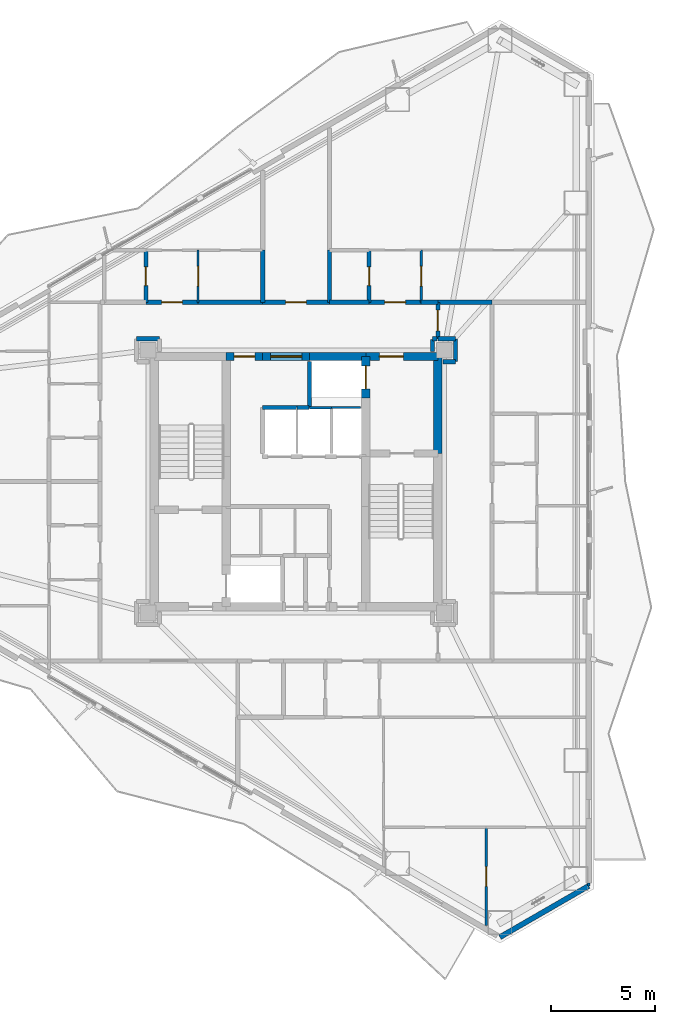
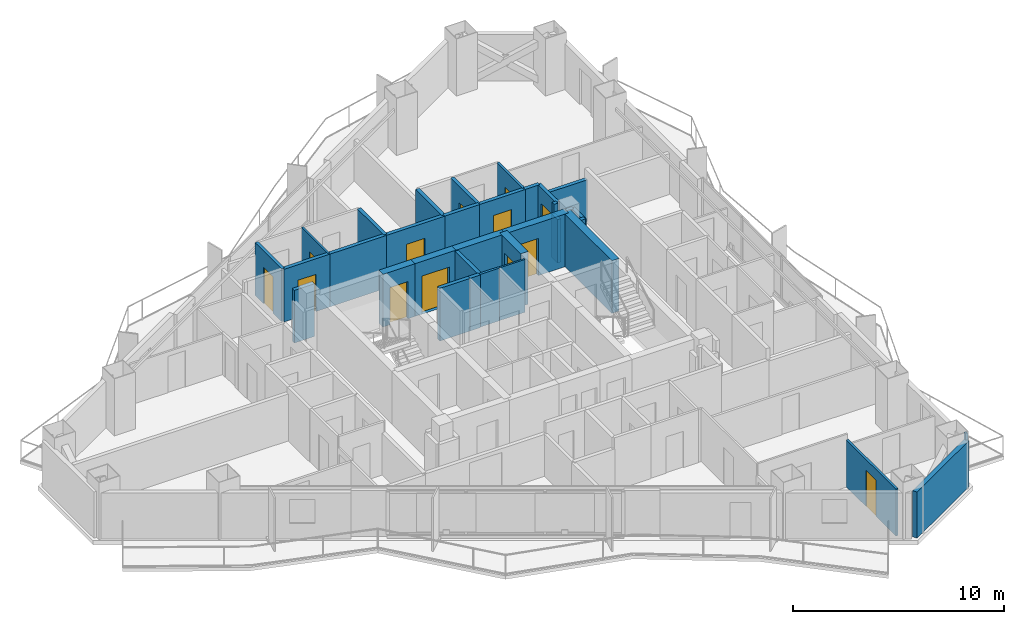
# One storey, part 18 of 22: 34 walls, 13 doors, 13 openings.
"""IFC4 building model written with IfcOpenShell, lengths in metres."""

from ifc_helpers import new_model, si_unit, direction, frame, frame_2d, origin, place, context, subcontext, project, spatial, rectangle, extrude, material, layer, layer_set, type_object, element, fill, save


model = new_model("IFC4")

# Units and contexts
model_context = context("Model", 3, precision=1e-05, world=origin(), true_north=direction((0.0, 1.0)))
body_context = subcontext(model_context, "Body", "Model", "MODEL_VIEW")
ifc_project = project(units=[si_unit("LENGTHUNIT", "METRE"), si_unit("AREAUNIT", "SQUARE_METRE"), si_unit("VOLUMEUNIT", "CUBIC_METRE"), si_unit("PLANEANGLEUNIT", "RADIAN"), si_unit("MASSUNIT", "GRAM", prefix="KILO")], contexts=[model_context])

# Site, building, storey
site_placement = place(None, origin())
site = spatial("IfcSite", under=ifc_project, at=site_placement, CompositionType="ELEMENT")
building_placement = place(site_placement, origin())
building = spatial("IfcBuilding", under=site, at=building_placement, Name="Mersakhor Tower and Convention Hall", CompositionType="ELEMENT")
storey_placement = place(building_placement, frame((0.0, 0.0, 103.199951171875)))
storey = spatial("IfcBuildingStorey", under=building, at=storey_placement, Name="L28", CompositionType="ELEMENT", Elevation=103.199951171875)

# Wall
ifc_material_1 = material(Name="Precast concrete C40/50", Category="concrete")
ifc_layer_1 = layer(ifc_material_1, 0.25)
ifc_layer_set_1 = layer_set([ifc_layer_1], Name="Precast concrete C40/50")
wall_type_1 = type_object("IfcWallType", Name="WL-EXT-250", PredefinedType="SOLIDWALL", material=ifc_layer_set_1)
wall_1_placement = place(storey_placement, frame((43.03466796875, 7.355712890625, 0.0), z_axis=(0.0, 0.0, 1.0), x_axis=(-0.866011848704, -0.500023477353, 0.0)))
element("IfcWall", 1, at=wall_1_placement, inside=storey, type_object=wall_type_1, Name="L28 Chamfer Braced Spandrel Wall C2", PredefinedType="SOLIDWALL", context=body_context, shape_type="SweptSolid", body=[
    extrude(rectangle(XDim=4.914306640625, YDim=0.25, at=frame_2d((2.45703125, 0.0))), origin(), (0.0, 0.0, 1.0), 2.670166015625),
])

# Wall, opening, door
ifc_material_2 = material(Name="Moisture-resistant acoustic drywall studwork", Category="other")
ifc_layer_2 = layer(ifc_material_2, 0.175048828125)
ifc_layer_set_2 = layer_set([ifc_layer_2], Name="Moisture-resistant acoustic drywall studwork")
wall_type_2 = type_object("IfcWallType", Name="WL-PLM-175", PredefinedType="PLUMBINGWALL", material=ifc_layer_set_2)
wall_2_placement = place(storey_placement, frame((21.800048828125, 35.35009765625, 0.0), z_axis=(0.0, 0.0, 1.0), x_axis=(0.0, 1.0, 0.0)))
wall_2 = element("IfcWall", 2, at=wall_2_placement, inside=storey, type_object=wall_type_2, Name="L28 Interior Partition Wall P-067", PredefinedType="PLUMBINGWALL", context=body_context, shape_type="SweptSolid", body=[
    extrude(rectangle(XDim=2.5, YDim=0.175048828125, at=frame_2d((1.25, 0.0))), origin(), (0.0, 0.0, 1.0), 3.050048828125),
])
opening_1_placement = place(wall_2_placement, frame((0.800048828125, 0.0, 0.0)))
opening_1 = element("IfcOpeningElement", 3, at=opening_1_placement, cuts=wall_2, Name="Opening WD-01", PredefinedType="OPENING", context=body_context, shape_type="SweptSolid", body=[
    extrude(rectangle(XDim=0.89990234375, YDim=2.10009765625, at=frame_2d((0.449951171875, 1.050048828125))), frame((0.0, 0.097412109375, 0.0), z_axis=(0.0, -1.0, 0.0), x_axis=(1.0, 0.0, 0.0)), (0.0, 0.0, 1.0), 0.195068359375),
])
ifc_material_3 = material(Name="Solid-core hardwood leaf in painted steel frame", Category="steel")
door_type_1 = type_object("IfcDoorType", Name="DR-INT-WET-090x210", OperationType="NOTDEFINED", PredefinedType="DOOR", material=ifc_material_3)
door_1_placement = place(opening_1_placement, origin())
door_1 = element("IfcDoor", 4, at=door_1_placement, inside=storey, type_object=door_type_1, Name="L28 L28 Flat N1 Apartment Hall to L28 Flat N1 Bathroom Door", OperationType="SINGLE_SWING_RIGHT", OverallHeight=2.10009765625, OverallWidth=0.89990234375, PredefinedType="DOOR", context=body_context, shape_type="SweptSolid", body=[
    extrude(rectangle(XDim=0.89990234375, YDim=2.10009765625, at=frame_2d((0.449951171875, 1.050048828125))), frame((0.0, 0.02490234375, 0.0), z_axis=(0.0, -1.0, 0.0), x_axis=(1.0, 0.0, 0.0)), (0.0, 0.0, 1.0), 0.050048828125),
])
fill(opening_1, door_1)

wall_3_placement = place(storey_placement, frame((32.5, 35.35009765625, 0.0), z_axis=(0.0, 0.0, 1.0), x_axis=(0.0, 1.0, 0.0)))
wall_3 = element("IfcWall", 5, at=wall_3_placement, inside=storey, type_object=wall_type_2, Name="L28 Interior Partition Wall P-070", PredefinedType="PLUMBINGWALL", context=body_context, shape_type="SweptSolid", body=[
    extrude(rectangle(XDim=2.5, YDim=0.175048828125, at=frame_2d((1.25, 0.0))), origin(), (0.0, 0.0, 1.0), 3.050048828125),
])
opening_2_placement = place(wall_3_placement, frame((0.800048828125, 0.0, 0.0)))
opening_2 = element("IfcOpeningElement", 6, at=opening_2_placement, cuts=wall_3, Name="Opening WD-01", PredefinedType="OPENING", context=body_context, shape_type="SweptSolid", body=[
    extrude(rectangle(XDim=0.89990234375, YDim=2.10009765625, at=frame_2d((0.449951171875, 1.050048828125))), frame((0.0, 0.097412109375, 0.0), z_axis=(0.0, -1.0, 0.0), x_axis=(1.0, 0.0, 0.0)), (0.0, 0.0, 1.0), 0.195068359375),
])
door_2_placement = place(opening_2_placement, origin())
door_2 = element("IfcDoor", 7, at=door_2_placement, inside=storey, type_object=door_type_1, Name="L28 L28 Flat N2 Apartment Hall to L28 Flat N2 Bathroom Door", OperationType="SINGLE_SWING_LEFT", OverallHeight=2.10009765625, OverallWidth=0.89990234375, PredefinedType="DOOR", context=body_context, shape_type="SweptSolid", body=[
    extrude(rectangle(XDim=0.89990234375, YDim=2.10009765625, at=frame_2d((0.449951171875, 1.050048828125))), frame((0.0, 0.02490234375, 0.0), z_axis=(0.0, -1.0, 0.0), x_axis=(1.0, 0.0, 0.0)), (0.0, 0.0, 1.0), 0.050048828125),
])
fill(opening_2, door_2)

# Wall
ifc_material_4 = material(Name="Lightweight gypsum partition", Category="other")
ifc_layer_3 = layer(ifc_material_4, 0.10009765625)
ifc_layer_set_3 = layer_set([ifc_layer_3], Name="Lightweight gypsum partition")
wall_type_3 = type_object("IfcWallType", Name="WL-PRT-100", PredefinedType="PARTITIONING", material=ifc_layer_set_3)
wall_4_placement = place(storey_placement, frame((32.10009765625, 30.300048828125, 0.0), z_axis=(0.0, 0.0, 1.0), x_axis=(-1.0, 0.0, 0.0)))
element("IfcWall", 8, at=wall_4_placement, inside=storey, type_object=wall_type_3, Name="L28 Interior Partition Wall P-004", PredefinedType="PARTITIONING", context=body_context, shape_type="SweptSolid", body=[
    extrude(rectangle(XDim=1.400146484375, YDim=0.10009765625, at=frame_2d((0.7001953125, 0.0))), origin(), (0.0, 0.0, 1.0), 3.050048828125),
])

# Wall, opening, door
wall_5_placement = place(storey_placement, frame((24.300048828125, 37.85009765625, 0.0), z_axis=(0.0, 0.0, 1.0), x_axis=(0.0, -1.0, 0.0)))
wall_5 = element("IfcWall", 9, at=wall_5_placement, inside=storey, type_object=wall_type_3, Name="L28 Interior Partition Wall P-066", PredefinedType="PARTITIONING", context=body_context, shape_type="SweptSolid", body=[
    extrude(rectangle(XDim=2.5, YDim=0.10009765625, at=frame_2d((1.25, 0.0))), origin(), (0.0, 0.0, 1.0), 3.050048828125),
])
opening_3_placement = place(wall_5_placement, frame((0.77490234375, 0.0, 0.0)))
opening_3 = element("IfcOpeningElement", 10, at=opening_3_placement, cuts=wall_5, Name="Opening RD-01", PredefinedType="OPENING", context=body_context, shape_type="SweptSolid", body=[
    extrude(rectangle(XDim=0.949951171875, YDim=2.10009765625, at=frame_2d((0.47509765625, 1.050048828125))), frame((0.0, 0.06005859375, 0.0), z_axis=(0.0, -1.0, 0.0), x_axis=(1.0, 0.0, 0.0)), (0.0, 0.0, 1.0), 0.1201171875),
])
ifc_material_5 = material(Name="Solid-core hardwood leaf in painted steel frame", Category="steel")
door_type_2 = type_object("IfcDoorType", Name="DR-INT-RM-095x210", OperationType="NOTDEFINED", PredefinedType="DOOR", material=ifc_material_5)
door_3_placement = place(opening_3_placement, origin())
door_3 = element("IfcDoor", 11, at=door_3_placement, inside=storey, type_object=door_type_2, Name="L28 L28 Flat N1 Apartment Hall to L28 Flat N1 Kitchen Door", OperationType="SINGLE_SWING_LEFT", OverallHeight=2.10009765625, OverallWidth=0.949951171875, PredefinedType="DOOR", context=body_context, shape_type="SweptSolid", body=[
    extrude(rectangle(XDim=0.949951171875, YDim=2.10009765625, at=frame_2d((0.47509765625, 1.050048828125))), frame((0.0, 0.02490234375, 0.0), z_axis=(0.0, -1.0, 0.0), x_axis=(1.0, 0.0, 0.0)), (0.0, 0.0, 1.0), 0.050048828125),
])
fill(opening_3, door_3)

# Wall
ifc_material_6 = material(Name="Gypsum board acoustic partition", Category="other")
ifc_layer_4 = layer(ifc_material_6, 0.125)
ifc_layer_set_4 = layer_set([ifc_layer_4], Name="Gypsum board acoustic partition")
wall_type_4 = type_object("IfcWallType", Name="WL-PRT-125", PredefinedType="PARTITIONING", material=ifc_layer_set_4)
wall_6_placement = place(storey_placement, frame((30.699951171875, 30.300048828125, 0.0), z_axis=(0.0, 0.0, 1.0), x_axis=(-1.0, 0.0, 0.0)))
element("IfcWall", 12, at=wall_6_placement, inside=storey, type_object=wall_type_4, Name="L28 Interior Partition Wall P-005", PredefinedType="PARTITIONING", context=body_context, shape_type="SweptSolid", body=[
    extrude(rectangle(XDim=1.050048828125, YDim=0.125, at=frame_2d((0.52490234375, 0.0))), origin(), (0.0, 0.0, 1.0), 3.050048828125),
])

# Wall, opening, door
wall_7_placement = place(storey_placement, frame((35.0, 37.85009765625, 0.0), z_axis=(0.0, 0.0, 1.0), x_axis=(0.0, -1.0, 0.0)))
wall_7 = element("IfcWall", 13, at=wall_7_placement, inside=storey, type_object=wall_type_4, Name="L28 Interior Partition Wall P-069", PredefinedType="PARTITIONING", context=body_context, shape_type="SweptSolid", body=[
    extrude(rectangle(XDim=2.5, YDim=0.125, at=frame_2d((1.25, 0.0))), origin(), (0.0, 0.0, 1.0), 3.050048828125),
])
opening_4_placement = place(wall_7_placement, frame((0.77490234375, 0.0, 0.0)))
opening_4 = element("IfcOpeningElement", 14, at=opening_4_placement, cuts=wall_7, Name="Opening RD-01", PredefinedType="OPENING", context=body_context, shape_type="SweptSolid", body=[
    extrude(rectangle(XDim=0.949951171875, YDim=2.10009765625, at=frame_2d((0.47509765625, 1.050048828125))), frame((0.0, 0.072509765625, 0.0), z_axis=(0.0, -1.0, 0.0), x_axis=(1.0, 0.0, 0.0)), (0.0, 0.0, 1.0), 0.14501953125),
])
door_4_placement = place(opening_4_placement, origin())
door_4 = element("IfcDoor", 15, at=door_4_placement, inside=storey, type_object=door_type_2, Name="L28 L28 Flat N2 Apartment Hall to L28 Flat N2 Kitchen Door", OperationType="SINGLE_SWING_RIGHT", OverallHeight=2.10009765625, OverallWidth=0.949951171875, PredefinedType="DOOR", context=body_context, shape_type="SweptSolid", body=[
    extrude(rectangle(XDim=0.949951171875, YDim=2.10009765625, at=frame_2d((0.47509765625, 1.050048828125))), frame((0.0, 0.02490234375, 0.0), z_axis=(0.0, -1.0, 0.0), x_axis=(1.0, 0.0, 0.0)), (0.0, 0.0, 1.0), 0.050048828125),
])
fill(opening_4, door_4)

wall_8_placement = place(storey_placement, frame((38.1201171875, 10.169921875, 0.0), z_axis=(0.0, 0.0, 1.0), x_axis=(0.0, -1.0, 0.0)))
wall_8 = element("IfcWall", 16, at=wall_8_placement, inside=storey, type_object=wall_type_4, Name="L28 Interior Partition Wall P-121", PredefinedType="PARTITIONING", context=body_context, shape_type="SweptSolid", body=[
    extrude(rectangle(XDim=4.718994140625, YDim=0.125, at=frame_2d((2.359375, 0.0))), origin(), (0.0, 0.0, 1.0), 2.714599609375),
])
opening_5_placement = place(wall_8_placement, frame((1.884521484375, 0.0, 0.0)))
opening_5 = element("IfcOpeningElement", 17, at=opening_5_placement, cuts=wall_8, Name="Opening RD-01", PredefinedType="OPENING", context=body_context, shape_type="SweptSolid", body=[
    extrude(rectangle(XDim=0.949951171875, YDim=2.10009765625, at=frame_2d((0.47509765625, 1.050048828125))), frame((0.0, 0.072509765625, 0.0), z_axis=(0.0, -1.0, 0.0), x_axis=(1.0, 0.0, 0.0)), (0.0, 0.0, 1.0), 0.14501953125),
])
door_5_placement = place(opening_5_placement, origin())
door_5 = element("IfcDoor", 18, at=door_5_placement, inside=storey, type_object=door_type_2, Name="L28 L28 Flat S3 Bedroom 1 to L28 Flat S3 Study Room Door", OperationType="SINGLE_SWING_RIGHT", OverallHeight=2.10009765625, OverallWidth=0.949951171875, PredefinedType="DOOR", context=body_context, shape_type="SweptSolid", body=[
    extrude(rectangle(XDim=0.949951171875, YDim=2.10009765625, at=frame_2d((0.47509765625, 1.050048828125))), frame((0.0, 0.02490234375, 0.0), z_axis=(0.0, -1.0, 0.0), x_axis=(1.0, 0.0, 0.0)), (0.0, 0.0, 1.0), 0.050048828125),
])
fill(opening_5, door_5)

# Walls
wall_9_placement = place(storey_placement, frame((43.034912109375, 7.505615234375, 0.0), z_axis=(0.0, 0.0, 1.0), x_axis=(0.0, -1.0, 0.0)))
element("IfcWall", 19, at=wall_9_placement, inside=storey, type_object=wall_type_4, Name="L28 Interior Partition Wall P-123", PredefinedType="PARTITIONING", context=body_context, shape_type="SweptSolid", body=[
    extrude(rectangle(XDim=0.149658203125, YDim=0.125, at=frame_2d((0.07470703125, 0.0))), origin(), (0.0, 0.0, 1.0), 3.050048828125),
])
ifc_material_7 = material(Name="Acoustic concrete blockwork and gypsum board", Category="masonry")
ifc_layer_5 = layer(ifc_material_7, 0.199951171875)
ifc_layer_set_5 = layer_set([ifc_layer_5], Name="Acoustic concrete blockwork and gypsum board")
wall_type_5 = type_object("IfcWallType", Name="WL-PRT-200", PredefinedType="PARTITIONING", material=ifc_layer_set_5)
wall_10_placement = place(storey_placement, frame((29.64990234375, 30.300048828125, 0.0), z_axis=(0.0, 0.0, 1.0), x_axis=(0.0, 1.0, 0.0)))
element("IfcWall", 20, at=wall_10_placement, inside=storey, type_object=wall_type_5, Name="L28 Interior Partition Wall P-006", PredefinedType="PARTITIONING", context=body_context, shape_type="SweptSolid", body=[
    extrude(rectangle(XDim=2.199951171875, YDim=0.199951171875, at=frame_2d((1.10009765625, 0.0))), origin(), (0.0, 0.0, 1.0), 3.050048828125),
])
wall_11_placement = place(storey_placement, frame((27.39990234375, 30.300048828125, 0.0), z_axis=(0.0, 0.0, 1.0), x_axis=(1.0, 0.0, 0.0)))
element("IfcWall", 21, at=wall_11_placement, inside=storey, type_object=wall_type_5, Name="L28 Interior Partition Wall P-013", PredefinedType="PARTITIONING", context=body_context, shape_type="SweptSolid", body=[
    extrude(rectangle(XDim=1.650146484375, YDim=0.199951171875, at=frame_2d((0.8251953125, 0.0))), origin(), (0.0, 0.0, 1.0), 3.050048828125),
])
wall_12_placement = place(storey_placement, frame((29.050048828125, 30.300048828125, 0.0), z_axis=(0.0, 0.0, 1.0), x_axis=(1.0, 0.0, 0.0)))
element("IfcWall", 22, at=wall_12_placement, inside=storey, type_object=wall_type_5, Name="L28 Interior Partition Wall P-016", PredefinedType="PARTITIONING", context=body_context, shape_type="SweptSolid", body=[
    extrude(rectangle(XDim=0.570068359375, YDim=0.199951171875, at=frame_2d((0.28515625, 0.0))), origin(), (0.0, 0.0, 1.0), 3.050048828125),
])

# Wall, opening, door
wall_13_placement = place(storey_placement, frame((21.800048828125, 35.35009765625, 0.0), z_axis=(0.0, 0.0, 1.0), x_axis=(1.0, 0.0, 0.0)))
wall_13 = element("IfcWall", 23, at=wall_13_placement, inside=storey, type_object=wall_type_5, Name="L28 Interior Partition Wall P-037", PredefinedType="PARTITIONING", context=body_context, shape_type="SweptSolid", body=[
    extrude(rectangle(XDim=2.5, YDim=0.199951171875, at=frame_2d((1.25, 0.0))), origin(), (0.0, 0.0, 1.0), 3.050048828125),
])
opening_6_placement = place(wall_13_placement, frame((0.75, 0.0, 0.0)))
opening_6 = element("IfcOpeningElement", 24, at=opening_6_placement, cuts=wall_13, Name="Opening FD-01", PredefinedType="OPENING", context=body_context, shape_type="SweptSolid", body=[
    extrude(rectangle(XDim=1.0, YDim=2.14990234375, at=frame_2d((0.5, 1.074951171875))), frame((0.0, 0.10986328125, 0.0), z_axis=(0.0, -1.0, 0.0), x_axis=(1.0, 0.0, 0.0)), (0.0, 0.0, 1.0), 0.219970703125),
])
ifc_material_8 = material(Name="Fire-rated hardwood leaf and painted steel frame", Category="steel")
door_type_3 = type_object("IfcDoorType", Name="DR-INT-FLT-100x215", OperationType="NOTDEFINED", PredefinedType="DOOR", material=ifc_material_8)
door_6_placement = place(opening_6_placement, origin())
door_6 = element("IfcDoor", 25, at=door_6_placement, inside=storey, type_object=door_type_3, Name="L28 Apartment Entrance Door (Residential Ring Corridor to L28 Flat N1 Apartment Hall)", OperationType="SINGLE_SWING_LEFT", OverallHeight=2.14990234375, OverallWidth=1.0, PredefinedType="DOOR", context=body_context, shape_type="SweptSolid", body=[
    extrude(rectangle(XDim=1.0, YDim=2.14990234375, at=frame_2d((0.5, 1.074951171875))), frame((0.0, 0.02490234375, 0.0), z_axis=(0.0, -1.0, 0.0), x_axis=(1.0, 0.0, 0.0)), (0.0, 0.0, 1.0), 0.050048828125),
])
fill(opening_6, door_6)

# Wall
wall_14_placement = place(storey_placement, frame((24.300048828125, 35.35009765625, 0.0), z_axis=(0.0, 0.0, 1.0), x_axis=(1.0, 0.0, 0.0)))
element("IfcWall", 26, at=wall_14_placement, inside=storey, type_object=wall_type_5, Name="L28 Interior Partition Wall P-038", PredefinedType="PARTITIONING", context=body_context, shape_type="SweptSolid", body=[
    extrude(rectangle(XDim=3.099853515625, YDim=0.199951171875, at=frame_2d((1.5498046875, 0.0))), origin(), (0.0, 0.0, 1.0), 3.050048828125),
])

# Wall, opening, door
wall_15_placement = place(storey_placement, frame((27.39990234375, 35.35009765625, 0.0), z_axis=(0.0, 0.0, 1.0), x_axis=(1.0, 0.0, 0.0)))
wall_15 = element("IfcWall", 27, at=wall_15_placement, inside=storey, type_object=wall_type_5, Name="L28 Interior Partition Wall P-039", PredefinedType="PARTITIONING", context=body_context, shape_type="SweptSolid", body=[
    extrude(rectangle(XDim=3.2001953125, YDim=0.199951171875, at=frame_2d((1.60009765625, 0.0))), origin(), (0.0, 0.0, 1.0), 3.050048828125),
])
opening_7_placement = place(wall_15_placement, frame((1.10009765625, 0.0, 0.0)))
opening_7 = element("IfcOpeningElement", 28, at=opening_7_placement, cuts=wall_15, Name="Opening FD-01", PredefinedType="OPENING", context=body_context, shape_type="SweptSolid", body=[
    extrude(rectangle(XDim=1.0, YDim=2.14990234375, at=frame_2d((0.5, 1.074951171875))), frame((0.0, 0.10986328125, 0.0), z_axis=(0.0, -1.0, 0.0), x_axis=(1.0, 0.0, 0.0)), (0.0, 0.0, 1.0), 0.219970703125),
])
door_7_placement = place(opening_7_placement, origin())
door_7 = element("IfcDoor", 29, at=door_7_placement, inside=storey, type_object=door_type_3, Name="L28 Residential Ring Corridor to L28 North Wing Quiet Study Room Door", OperationType="SINGLE_SWING_LEFT", OverallHeight=2.14990234375, OverallWidth=1.0, PredefinedType="DOOR", context=body_context, shape_type="SweptSolid", body=[
    extrude(rectangle(XDim=1.0, YDim=2.14990234375, at=frame_2d((0.5, 1.074951171875))), frame((0.0, 0.02490234375, 0.0), z_axis=(0.0, -1.0, 0.0), x_axis=(1.0, 0.0, 0.0)), (0.0, 0.0, 1.0), 0.050048828125),
])
fill(opening_7, door_7)

# Wall
wall_16_placement = place(storey_placement, frame((30.60009765625, 35.35009765625, 0.0), z_axis=(0.0, 0.0, 1.0), x_axis=(1.0, 0.0, 0.0)))
element("IfcWall", 30, at=wall_16_placement, inside=storey, type_object=wall_type_5, Name="L28 Interior Partition Wall P-040", PredefinedType="PARTITIONING", context=body_context, shape_type="SweptSolid", body=[
    extrude(rectangle(XDim=1.89990234375, YDim=0.199951171875, at=frame_2d((0.949951171875, 0.0))), origin(), (0.0, 0.0, 1.0), 3.050048828125),
])

# Wall, opening, door
wall_17_placement = place(storey_placement, frame((32.5, 35.35009765625, 0.0), z_axis=(0.0, 0.0, 1.0), x_axis=(1.0, 0.0, 0.0)))
wall_17 = element("IfcWall", 31, at=wall_17_placement, inside=storey, type_object=wall_type_5, Name="L28 Interior Partition Wall P-041", PredefinedType="PARTITIONING", context=body_context, shape_type="SweptSolid", body=[
    extrude(rectangle(XDim=2.5, YDim=0.199951171875, at=frame_2d((1.25, 0.0))), origin(), (0.0, 0.0, 1.0), 3.050048828125),
])
opening_8_placement = place(wall_17_placement, frame((0.75, 0.0, 0.0)))
opening_8 = element("IfcOpeningElement", 32, at=opening_8_placement, cuts=wall_17, Name="Opening FD-01", PredefinedType="OPENING", context=body_context, shape_type="SweptSolid", body=[
    extrude(rectangle(XDim=1.0, YDim=2.14990234375, at=frame_2d((0.5, 1.074951171875))), frame((0.0, 0.10986328125, 0.0), z_axis=(0.0, -1.0, 0.0), x_axis=(1.0, 0.0, 0.0)), (0.0, 0.0, 1.0), 0.219970703125),
])
door_8_placement = place(opening_8_placement, origin())
door_8 = element("IfcDoor", 33, at=door_8_placement, inside=storey, type_object=door_type_3, Name="L28 Apartment Entrance Door (Residential Ring Corridor to L28 Flat N2 Apartment Hall)", OperationType="SINGLE_SWING_RIGHT", OverallHeight=2.14990234375, OverallWidth=1.0, PredefinedType="DOOR", context=body_context, shape_type="SweptSolid", body=[
    extrude(rectangle(XDim=1.0, YDim=2.14990234375, at=frame_2d((0.5, 1.074951171875))), frame((0.0, 0.02490234375, 0.0), z_axis=(0.0, -1.0, 0.0), x_axis=(1.0, 0.0, 0.0)), (0.0, 0.0, 1.0), 0.050048828125),
])
fill(opening_8, door_8)

# Wall
wall_18_placement = place(storey_placement, frame((35.0, 35.35009765625, 0.0), z_axis=(0.0, 0.0, 1.0), x_axis=(1.0, 0.0, 0.0)))
element("IfcWall", 34, at=wall_18_placement, inside=storey, type_object=wall_type_5, Name="L28 Interior Partition Wall P-042", PredefinedType="PARTITIONING", context=body_context, shape_type="SweptSolid", body=[
    extrude(rectangle(XDim=0.800048828125, YDim=0.199951171875, at=frame_2d((0.39990234375, 0.0))), origin(), (0.0, 0.0, 1.0), 3.050048828125),
])

# Wall, opening, door
wall_19_placement = place(storey_placement, frame((35.800048828125, 35.35009765625, 0.0), z_axis=(0.0, 0.0, 1.0), x_axis=(0.0, -1.0, 0.0)))
wall_19 = element("IfcWall", 35, at=wall_19_placement, inside=storey, type_object=wall_type_5, Name="L28 Interior Partition Wall P-043", PredefinedType="PARTITIONING", context=body_context, shape_type="SweptSolid", body=[
    extrude(rectangle(XDim=1.75, YDim=0.199951171875, at=frame_2d((0.875, 0.0))), origin(), (0.0, 0.0, 1.0), 3.050048828125),
])
opening_9_placement = place(wall_19_placement, frame((0.375, 0.0, 0.0)))
opening_9 = element("IfcOpeningElement", 36, at=opening_9_placement, cuts=wall_19, Name="Opening FD-01", PredefinedType="OPENING", context=body_context, shape_type="SweptSolid", body=[
    extrude(rectangle(XDim=1.0, YDim=2.14990234375, at=frame_2d((0.5, 1.074951171875))), frame((0.0, 0.10986328125, 0.0), z_axis=(0.0, -1.0, 0.0), x_axis=(1.0, 0.0, 0.0)), (0.0, 0.0, 1.0), 0.219970703125),
])
door_9_placement = place(opening_9_placement, origin())
door_9 = element("IfcDoor", 37, at=door_9_placement, inside=storey, type_object=door_type_3, Name="L28 Ring Corridor Fire Door", OperationType="SINGLE_SWING_RIGHT", OverallHeight=2.14990234375, OverallWidth=1.0, PredefinedType="DOOR", context=body_context, shape_type="SweptSolid", body=[
    extrude(rectangle(XDim=1.0, YDim=2.14990234375, at=frame_2d((0.5, 1.074951171875))), frame((0.0, 0.02490234375, 0.0), z_axis=(0.0, -1.0, 0.0), x_axis=(1.0, 0.0, 0.0)), (0.0, 0.0, 1.0), 0.050048828125),
])
fill(opening_9, door_9)

# Walls
wall_20_placement = place(storey_placement, frame((35.77001953125, 33.60009765625, 0.0), z_axis=(0.0, 0.0, 1.0), x_axis=(-1.0, 0.0, 0.0)))
element("IfcWall", 38, at=wall_20_placement, inside=storey, type_object=wall_type_5, Name="L28 Interior Partition Wall P-044", PredefinedType="PARTITIONING", context=body_context, shape_type="SweptSolid", body=[
    extrude(rectangle(XDim=0.219970703125, YDim=0.199951171875, at=frame_2d((0.10986328125, 0.0))), origin(), (0.0, 0.0, 1.0), 3.050048828125),
])
wall_21_placement = place(storey_placement, frame((35.550048828125, 33.570068359375, 0.0), z_axis=(0.0, 0.0, 1.0), x_axis=(0.0, -1.0, 0.0)))
element("IfcWall", 39, at=wall_21_placement, inside=storey, type_object=wall_type_5, Name="L28 Interior Partition Wall P-045", PredefinedType="PARTITIONING", context=body_context, shape_type="SweptSolid", body=[
    extrude(rectangle(XDim=0.570068359375, YDim=0.199951171875, at=frame_2d((0.28515625, 0.0))), origin(), (0.0, 0.0, 1.0), 2.498291015625),
])
wall_22_placement = place(storey_placement, frame((22.449951171875, 33.60009765625, 0.0), z_axis=(0.0, 0.0, 1.0), x_axis=(-1.0, 0.0, 0.0)))
element("IfcWall", 40, at=wall_22_placement, inside=storey, type_object=wall_type_5, Name="L28 Interior Partition Wall P-047", PredefinedType="PARTITIONING", context=body_context, shape_type="SweptSolid", body=[
    extrude(rectangle(XDim=1.099853515625, YDim=0.199951171875, at=frame_2d((0.5498046875, 0.0))), origin(), (0.0, 0.0, 1.0), 3.050048828125),
])
wall_23_placement = place(storey_placement, frame((36.050048828125, 32.5, 0.0), z_axis=(0.0, 0.0, 1.0), x_axis=(1.0, 0.0, 0.0)))
element("IfcWall", 41, at=wall_23_placement, inside=storey, type_object=wall_type_5, Name="L28 Interior Partition Wall P-053", PredefinedType="PARTITIONING", context=body_context, shape_type="SweptSolid", body=[
    extrude(rectangle(XDim=0.599853515625, YDim=0.199951171875, at=frame_2d((0.2998046875, 0.0))), origin(), (0.0, 0.0, 1.0), 2.498291015625),
])
wall_24_placement = place(storey_placement, frame((36.64990234375, 32.5, 0.0), z_axis=(0.0, 0.0, 1.0), x_axis=(0.0, 1.0, 0.0)))
element("IfcWall", 42, at=wall_24_placement, inside=storey, type_object=wall_type_5, Name="L28 Interior Partition Wall P-054", PredefinedType="PARTITIONING", context=body_context, shape_type="SweptSolid", body=[
    extrude(rectangle(XDim=1.10009765625, YDim=0.199951171875, at=frame_2d((0.550048828125, 0.0))), origin(), (0.0, 0.0, 1.0), 2.4228515625),
])
wall_25_placement = place(storey_placement, frame((36.64990234375, 33.60009765625, 0.0), z_axis=(0.0, 0.0, 1.0), x_axis=(-1.0, 0.0, 0.0)))
element("IfcWall", 43, at=wall_25_placement, inside=storey, type_object=wall_type_5, Name="L28 Interior Partition Wall P-055", PredefinedType="PARTITIONING", context=body_context, shape_type="SweptSolid", body=[
    extrude(rectangle(XDim=0.849853515625, YDim=0.199951171875, at=frame_2d((0.4248046875, 0.0))), origin(), (0.0, 0.0, 1.0), 2.4228515625),
])
wall_26_placement = place(storey_placement, frame((35.800048828125, 35.35009765625, 0.0), z_axis=(0.0, 0.0, 1.0), x_axis=(1.0, 0.0, 0.0)))
element("IfcWall", 44, at=wall_26_placement, inside=storey, type_object=wall_type_5, Name="L28 Interior Partition Wall P-056", PredefinedType="PARTITIONING", context=body_context, shape_type="SweptSolid", body=[
    extrude(rectangle(XDim=2.599853515625, YDim=0.199951171875, at=frame_2d((1.2998046875, 0.0))), origin(), (0.0, 0.0, 1.0), 2.4228515625),
])
for number, where, z_axis, x_axis, name in (
    (45, (27.39990234375, 37.85009765625, 0.0), (0.0, 0.0, 1.0), (0.0, -1.0, 0.0), "L28 Interior Partition Wall P-090"),
    (46, (30.60009765625, 35.35009765625, 0.0), (0.0, 0.0, 1.0), (0.0, 1.0, 0.0), "L28 Interior Partition Wall P-092"),
):
    element("IfcWall", number, at=place(storey_placement, frame(where, z_axis=z_axis, x_axis=x_axis)), inside=storey, type_object=wall_type_5, Name=name, PredefinedType="PARTITIONING", context=body_context, shape_type="SweptSolid", body=[
        extrude(rectangle(XDim=2.5, YDim=0.199951171875, at=frame_2d((1.25, 0.0))), origin(), (0.0, 0.0, 1.0), 3.050048828125),
    ])

# Wall, opening, door
ifc_material_9 = material(Name="Concrete C60/75", Category="concrete")
ifc_layer_6 = layer(ifc_material_9, 0.39990234375)
ifc_layer_set_6 = layer_set([ifc_layer_6], Name="Concrete C60/75")
wall_type_6 = type_object("IfcWallType", Name="WL-SHR-400", PredefinedType="SHEAR", material=ifc_layer_set_6)
wall_27_placement = place(storey_placement, frame((25.64990234375, 32.75, 0.0), z_axis=(0.0, 0.0, 1.0), x_axis=(1.0, 0.0, 0.0)))
wall_27 = element("IfcWall", 47, at=wall_27_placement, inside=storey, type_object=wall_type_6, Name="L28 Core Wall CW-N2A", PredefinedType="SHEAR", context=body_context, shape_type="SweptSolid", body=[
    extrude(rectangle(XDim=1.75, YDim=0.39990234375, at=frame_2d((0.875, 0.0))), origin(), (0.0, 0.0, 1.0), 3.050048828125),
])
opening_10_placement = place(wall_27_placement, frame((0.375, 0.0, 0.0)))
opening_10 = element("IfcOpeningElement", 48, at=opening_10_placement, cuts=wall_27, Name="Opening CFD-01", PredefinedType="OPENING", context=body_context, shape_type="SweptSolid", body=[
    extrude(rectangle(XDim=1.0, YDim=2.14990234375, at=frame_2d((0.5, 1.074951171875))), frame((0.0, 0.2099609375, 0.0), z_axis=(0.0, -1.0, 0.0), x_axis=(1.0, 0.0, 0.0)), (0.0, 0.0, 1.0), 0.419921875),
])
ifc_material_10 = material(Name="Fire-rated hardwood leaf and painted steel frame", Category="steel")
door_type_4 = type_object("IfcDoorType", Name="DR-CORE-FD-100x215", OperationType="NOTDEFINED", PredefinedType="DOOR", material=ifc_material_10)
door_10_placement = place(opening_10_placement, origin())
door_10 = element("IfcDoor", 49, at=door_10_placement, inside=storey, type_object=door_type_4, Name="L28 Lift Lobby North Corridor Door", OperationType="SINGLE_SWING_LEFT", OverallHeight=2.14990234375, OverallWidth=1.0, PredefinedType="DOOR", context=body_context, shape_type="SweptSolid", body=[
    extrude(rectangle(XDim=1.0, YDim=2.14990234375, at=frame_2d((0.5, 1.074951171875))), frame((0.0, 0.02490234375, 0.0), z_axis=(0.0, -1.0, 0.0), x_axis=(1.0, 0.0, 0.0)), (0.0, 0.0, 1.0), 0.050048828125),
])
fill(opening_10, door_10)

wall_28_placement = place(storey_placement, frame((27.39990234375, 32.75, 0.0), z_axis=(0.0, 0.0, 1.0), x_axis=(1.0, 0.0, 0.0)))
wall_28 = element("IfcWall", 50, at=wall_28_placement, inside=storey, type_object=wall_type_6, Name="L28 Core Wall CW-N2B", PredefinedType="SHEAR", context=body_context, shape_type="SweptSolid", body=[
    extrude(rectangle(XDim=2.25, YDim=0.39990234375, at=frame_2d((1.125, 0.0))), origin(), (0.0, 0.0, 1.0), 3.050048828125),
])
opening_11_placement = place(wall_28_placement, frame((0.375, 0.0, 0.0)))
opening_11 = element("IfcOpeningElement", 51, at=opening_11_placement, cuts=wall_28, Name="Opening LD-LOB", PredefinedType="OPENING", context=body_context, shape_type="SweptSolid", body=[
    extrude(rectangle(XDim=1.5, YDim=2.199951171875, at=frame_2d((0.75, 1.10009765625))), frame((0.0, 0.2099609375, 0.0), z_axis=(0.0, -1.0, 0.0), x_axis=(1.0, 0.0, 0.0)), (0.0, 0.0, 1.0), 0.419921875),
])
ifc_material_11 = material(Name="Fire-rated hardwood leaf and painted steel frame", Category="steel")
door_type_5 = type_object("IfcDoorType", Name="DR-INT-LOB-150x220", OperationType="NOTDEFINED", PredefinedType="DOOR", material=ifc_material_11)
door_11_placement = place(opening_11_placement, origin())
door_11 = element("IfcDoor", 52, at=door_11_placement, inside=storey, type_object=door_type_5, Name="L28 Central Passenger Lift Lobby to Residential Ring Corridor Door", OperationType="DOUBLE_DOOR_SINGLE_SWING", OverallHeight=2.199951171875, OverallWidth=1.5, PredefinedType="DOOR", context=body_context, shape_type="SweptSolid", body=[
    extrude(rectangle(XDim=1.5, YDim=2.199951171875, at=frame_2d((0.75, 1.10009765625))), frame((0.0, 0.02490234375, 0.0), z_axis=(0.0, -1.0, 0.0), x_axis=(1.0, 0.0, 0.0)), (0.0, 0.0, 1.0), 0.050048828125),
])
fill(opening_11, door_11)

# Wall
wall_29_placement = place(storey_placement, frame((29.64990234375, 32.75, 0.0), z_axis=(0.0, 0.0, 1.0), x_axis=(1.0, 0.0, 0.0)))
element("IfcWall", 53, at=wall_29_placement, inside=storey, type_object=wall_type_6, Name="L28 Core Wall CW-N3", PredefinedType="SHEAR", context=body_context, shape_type="SweptSolid", body=[
    extrude(rectangle(XDim=2.7001953125, YDim=0.39990234375, at=frame_2d((1.35009765625, 0.0))), origin(), (0.0, 0.0, 1.0), 3.050048828125),
])

# Wall, opening, door
wall_30_placement = place(storey_placement, frame((32.35009765625, 32.75, 0.0), z_axis=(0.0, 0.0, 1.0), x_axis=(1.0, 0.0, 0.0)))
wall_30 = element("IfcWall", 54, at=wall_30_placement, inside=storey, type_object=wall_type_6, Name="L28 Core Wall CW-N4", PredefinedType="SHEAR", context=body_context, shape_type="SweptSolid", body=[
    extrude(rectangle(XDim=3.449951171875, YDim=0.39990234375, at=frame_2d((1.72509765625, 0.0))), origin(), (0.0, 0.0, 1.0), 3.050048828125),
])
opening_12_placement = place(wall_30_placement, frame((0.64990234375, 0.0, 0.0)))
opening_12 = element("IfcOpeningElement", 55, at=opening_12_placement, cuts=wall_30, Name="Opening SD-01", PredefinedType="OPENING", context=body_context, shape_type="SweptSolid", body=[
    extrude(rectangle(XDim=1.14990234375, YDim=2.14990234375, at=frame_2d((0.574951171875, 1.074951171875))), frame((0.0, 0.2099609375, 0.0), z_axis=(0.0, -1.0, 0.0), x_axis=(1.0, 0.0, 0.0)), (0.0, 0.0, 1.0), 0.419921875),
])
ifc_material_12 = material(Name="Fire-rated hardwood leaf and painted steel frame", Category="steel")
door_type_6 = type_object("IfcDoorType", Name="DR-INT-STAIR-115x215", OperationType="NOTDEFINED", PredefinedType="DOOR", material=ifc_material_12)
door_12_placement = place(opening_12_placement, origin())
door_12 = element("IfcDoor", 56, at=door_12_placement, inside=storey, type_object=door_type_6, Name="L28 Firefighting Lobby East Fire Door", OperationType="SINGLE_SWING_RIGHT", OverallHeight=2.14990234375, OverallWidth=1.14990234375, PredefinedType="DOOR", context=body_context, shape_type="SweptSolid", body=[
    extrude(rectangle(XDim=1.14990234375, YDim=2.14990234375, at=frame_2d((0.574951171875, 1.074951171875))), frame((0.0, 0.02490234375, 0.0), z_axis=(0.0, -1.0, 0.0), x_axis=(1.0, 0.0, 0.0)), (0.0, 0.0, 1.0), 0.050048828125),
])
fill(opening_12, door_12)

# Wall
wall_31_placement = place(storey_placement, frame((35.800048828125, 32.75, 0.0), z_axis=(0.0, 0.0, 1.0), x_axis=(0.0, -1.0, 0.0)))
element("IfcWall", 57, at=wall_31_placement, inside=storey, type_object=wall_type_6, Name="L28 Core Wall CW-E1", PredefinedType="SHEAR", context=body_context, shape_type="SweptSolid", body=[
    extrude(rectangle(XDim=4.64990234375, YDim=0.39990234375, at=frame_2d((2.324951171875, 0.0))), origin(), (0.0, 0.0, 1.0), 3.050048828125),
])

# Wall, opening, door
wall_32_placement = place(storey_placement, frame((32.35009765625, 30.75, 0.0), z_axis=(0.0, 0.0, 1.0), x_axis=(0.0, 1.0, 0.0)))
wall_32 = element("IfcWall", 58, at=wall_32_placement, inside=storey, type_object=wall_type_6, Name="L28 Core Wall CS-E-FFL", PredefinedType="SHEAR", context=body_context, shape_type="SweptSolid", body=[
    extrude(rectangle(XDim=2.0, YDim=0.39990234375, at=frame_2d((1.0, 0.0))), origin(), (0.0, 0.0, 1.0), 3.050048828125),
])
opening_13_placement = place(wall_32_placement, frame((0.449951171875, 0.0, 0.0)))
opening_13 = element("IfcOpeningElement", 59, at=opening_13_placement, cuts=wall_32, Name="Opening LD-FFL2", PredefinedType="OPENING", context=body_context, shape_type="SweptSolid", body=[
    extrude(rectangle(XDim=1.10009765625, YDim=2.14990234375, at=frame_2d((0.550048828125, 1.074951171875))), frame((0.0, 0.2099609375, 0.0), z_axis=(0.0, -1.0, 0.0), x_axis=(1.0, 0.0, 0.0)), (0.0, 0.0, 1.0), 0.419921875),
])
ifc_material_13 = material(Name="Fire-rated brushed stainless steel sliding landing door", Category="steel")
door_type_7 = type_object("IfcDoorType", Name="DR-LIFT-SLD-110x215", OperationType="NOTDEFINED", PredefinedType="DOOR", material=ifc_material_13)
door_13_placement = place(opening_13_placement, origin())
door_13 = element("IfcDoor", 60, at=door_13_placement, inside=storey, type_object=door_type_7, Name="L28 Firefighting Lift Landing Door LD-FFL2", OperationType="SLIDING_TO_LEFT", OverallHeight=2.14990234375, OverallWidth=1.10009765625, PredefinedType="DOOR", context=body_context, shape_type="SweptSolid", body=[
    extrude(rectangle(XDim=1.10009765625, YDim=2.14990234375, at=frame_2d((0.550048828125, 1.074951171875))), frame((0.0, 0.02490234375, 0.0), z_axis=(0.0, -1.0, 0.0), x_axis=(1.0, 0.0, 0.0)), (0.0, 0.0, 1.0), 0.050048828125),
])
fill(opening_13, door_13)

save(model, "model.ifc")
